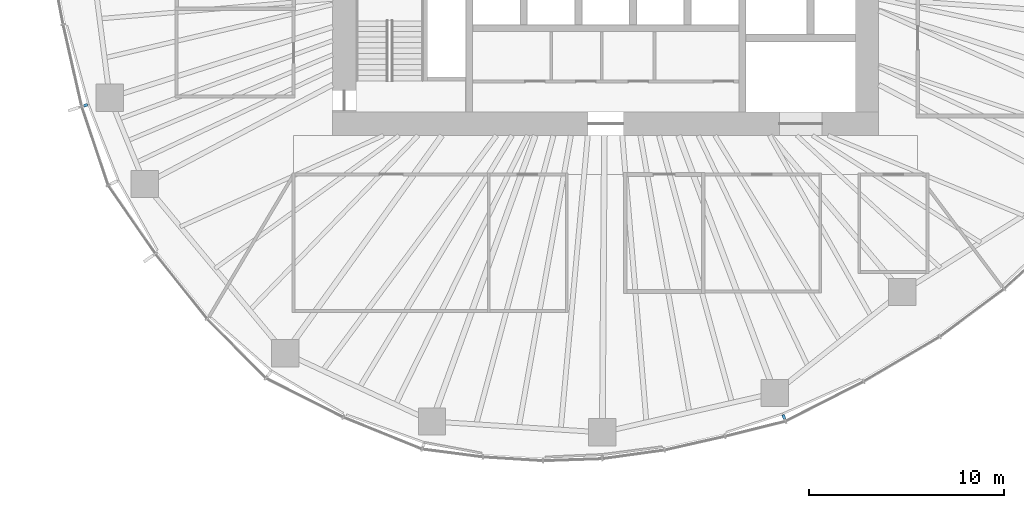
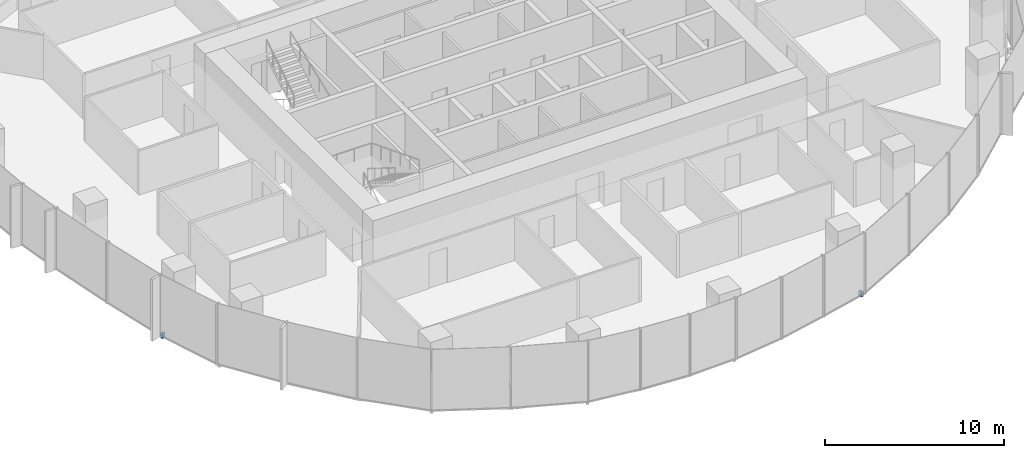
# One storey, part 13 of 18: 2 discrete accessories.
"""IFC4 building model written with IfcOpenShell, lengths in metres."""

from ifc_helpers import new_model, si_unit, direction, frame, origin, origin_2d, place, context, subcontext, project, spatial, rectangle, extrude, material, type_object, element, save


model = new_model("IFC4")

# Units and contexts
model_context = context("Model", 3, precision=1e-05, world=origin(), true_north=direction((0.0, 1.0)))
body_context = subcontext(model_context, "Body", "Model", "MODEL_VIEW")
ifc_project = project(units=[si_unit("LENGTHUNIT", "METRE"), si_unit("AREAUNIT", "SQUARE_METRE"), si_unit("VOLUMEUNIT", "CUBIC_METRE"), si_unit("PLANEANGLEUNIT", "RADIAN"), si_unit("MASSUNIT", "GRAM", prefix="KILO")], contexts=[model_context])

# Site, building, storey
site_placement = place(None, origin())
site = spatial("IfcSite", under=ifc_project, at=site_placement, CompositionType="ELEMENT")
building_placement = place(site_placement, origin())
building = spatial("IfcBuilding", under=site, at=building_placement, Name="Ghaith Harvest Tower", CompositionType="ELEMENT")
storey_placement = place(building_placement, frame((0.0, 0.0, 163.800048828125)))
storey = spatial("IfcBuildingStorey", under=building, at=storey_placement, Name="L35", CompositionType="ELEMENT", Elevation=163.800048828125)

# Discrete accessories
ifc_material_1 = material(Name="Stainless steel grade 1.4401", Category="steel")
discrete_accessory_type_1 = type_object("IfcDiscreteAccessoryType", Name="CURTAIN WALL BRACKET 205", PredefinedType="BRACKET", material=ifc_material_1)
discrete_accessory_1_placement = place(storey_placement, frame((-26.673095703125, -8.453125, -0.25), z_axis=(0.0, 0.0, 1.0), x_axis=(-0.953273219416, -0.302109531701, 0.0)))
element("IfcDiscreteAccessory", 1, at=discrete_accessory_1_placement, inside=storey, type_object=discrete_accessory_type_1, Name="CW-L bracket 1 bay 12 L35", PredefinedType="BRACKET", context=body_context, shape_type="SweptSolid", body=[
    extrude(rectangle(XDim=0.205078125, YDim=0.14990234375, at=origin_2d()), origin(), (0.0, 0.0, 1.0), 0.35009765625),
])
ifc_material_2 = material(Name="Stainless steel grade 1.4401", Category="steel")
discrete_accessory_type_2 = type_object("IfcDiscreteAccessoryType", Name="CURTAIN WALL BRACKET 245", PredefinedType="BRACKET", material=ifc_material_2)
discrete_accessory_2_placement = place(storey_placement, frame((9.135498046875, -24.436767578125, -0.25), z_axis=(0.0, 0.0, 1.0), x_axis=(0.35016769691, -0.93668702566, 0.0)))
element("IfcDiscreteAccessory", 2, at=discrete_accessory_2_placement, inside=storey, type_object=discrete_accessory_type_2, Name="CW-L bracket 1 bay 17 L35", PredefinedType="BRACKET", context=body_context, shape_type="SweptSolid", body=[
    extrude(rectangle(XDim=0.2451171875, YDim=0.14990234375, at=origin_2d()), origin(), (0.0, 0.0, 1.0), 0.35009765625),
])

save(model, "model.ifc")
